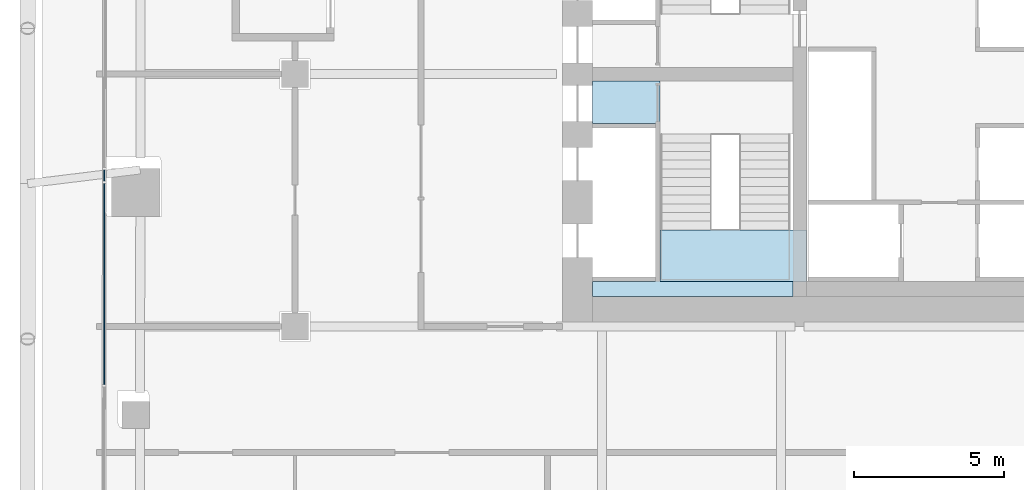
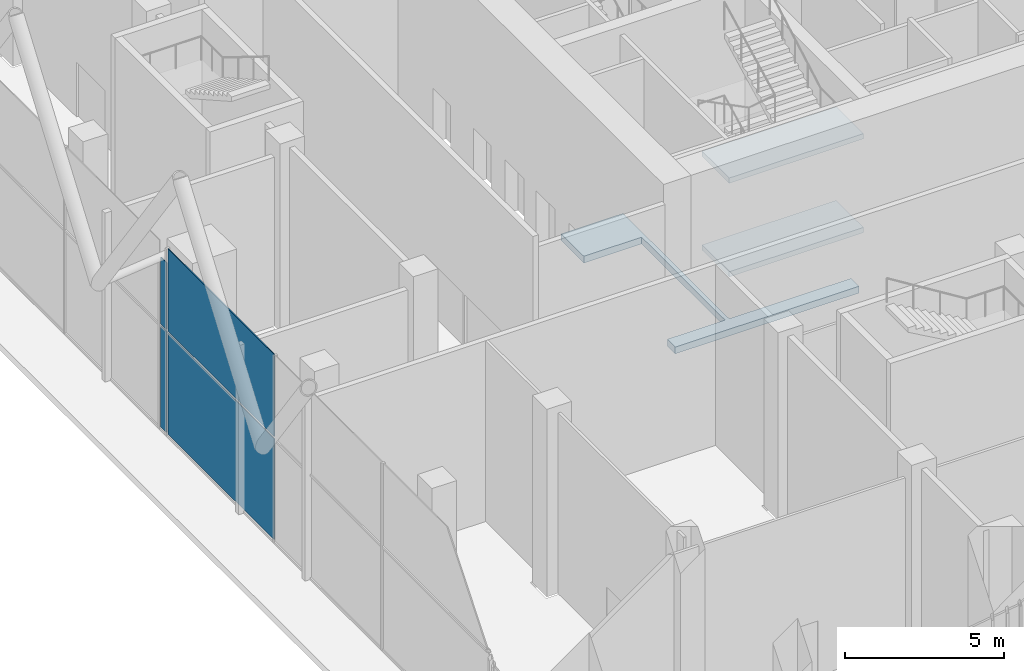
# One storey, part 18 of 34: 4 plates, 3 slabs, 3 elements without a shape of their own.
"""IFC4 building model written with IfcOpenShell, lengths in metres."""

from ifc_helpers import new_model, si_unit, direction, frame, origin, origin_2d, place, context, subcontext, project, spatial, polyline, rectangle, outline, extrude, material, layer, layer_set, type_object, element, aggregate, save


model = new_model("IFC4")

# Units and contexts
model_context = context("Model", 3, precision=1e-05, world=origin(), true_north=direction((0.0, 1.0)))
body_context = subcontext(model_context, "Body", "Model", "MODEL_VIEW")
ifc_project = project(units=[si_unit("LENGTHUNIT", "METRE"), si_unit("AREAUNIT", "SQUARE_METRE"), si_unit("VOLUMEUNIT", "CUBIC_METRE"), si_unit("PLANEANGLEUNIT", "RADIAN"), si_unit("MASSUNIT", "GRAM", prefix="KILO")], contexts=[model_context])

# Site, building, storey
site_placement = place(None, origin())
site = spatial("IfcSite", under=ifc_project, at=site_placement, CompositionType="ELEMENT")
building_placement = place(site_placement, origin())
building = spatial("IfcBuilding", under=site, at=building_placement, Name="Marenta Gate Hotel Tower", CompositionType="ELEMENT")
storey_placement = place(building_placement, frame((0.0, 0.0, 97.699951171875)))
storey = spatial("IfcBuildingStorey", under=building, at=storey_placement, Name="L21", CompositionType="ELEMENT", Elevation=97.699951171875)

# Slab
ifc_material_1 = material(Name="Concrete C40", Category="concrete")
ifc_layer_1 = layer(ifc_material_1, 0.260009765625)
ifc_layer_set_1 = layer_set([ifc_layer_1], Name="Concrete C40")
slab_type_1 = type_object("IfcSlabType", Name="Core floor slab 260", PredefinedType="FLOOR", material=ifc_layer_set_1)
slab_1_placement = place(storey_placement, frame((0.0, 0.0, -0.260009765625)))
element("IfcSlab", 1, at=slab_1_placement, inside=storey, type_object=slab_type_1, Name="L21-CF-5", PredefinedType="FLOOR", context=body_context, shape_type="SweptSolid", body=[
    extrude(outline(polyline([(-9.0, 1.5), (-9.0, 1.64990234375), (-9.0, 4.050048828125), (-9.0, 4.199951171875), (-9.0, 6.60009765625), (-9.0, 6.75), (-11.10009765625, 6.75), (-11.10009765625, 8.175048828125), (-8.85009765625, 8.175048828125), (-8.85009765625, 8.10009765625), (-8.85009765625, 6.39990234375), (-8.85009765625, 1.5), (-4.425048828125, 1.5), (-4.425048828125, 1.0), (-11.10009765625, 1.0), (-11.10009765625, 1.5), (-9.0, 1.5)])), origin(), (0.0, 0.0, 1.0), 0.260009765625),
])

# Stair, slabs
ifc_material_2 = material(Name="Concrete C40", Category="concrete")
stair_type = type_object("IfcStairType", Name="Core exit stair 1700 wide", PredefinedType="HALF_TURN_STAIR", material=ifc_material_2)
stair_placement = place(storey_placement, origin())
stair = element("IfcStair", 2, at=stair_placement, inside=storey, type_object=stair_type, Name="Exit stair 1", PredefinedType="HALF_TURN_STAIR")
ifc_material_3 = material(Name="Concrete C40", Category="concrete")
ifc_layer_2 = layer(ifc_material_3, 0.199951171875)
ifc_layer_set_2 = layer_set([ifc_layer_2], Name="Concrete C40")
slab_type_2 = type_object("IfcSlabType", Name="Core stair landing 200", PredefinedType="LANDING", material=ifc_layer_set_2)
slab_2_placement = place(storey_placement, frame((0.0, 0.0, 1.60009765625)))
slab_2 = element("IfcSlab", 3, at=slab_2_placement, type_object=slab_type_2, Name="SL-200 ST1 landing 1", PredefinedType="LANDING", context=body_context, shape_type="SweptSolid", body=[
    extrude(outline(polyline([(-8.85009765625, 1.5), (-3.97509765625, 1.5), (-3.97509765625, 3.2099609375), (-8.85009765625, 3.2099609375), (-8.85009765625, 1.5)])), origin(), (0.0, 0.0, 1.0), 0.199951171875),
])
slab_3_placement = place(storey_placement, frame((0.0, 0.0, 5.199951171875)))
slab_3 = element("IfcSlab", 4, at=slab_3_placement, type_object=slab_type_2, Name="SL-200 ST1 landing 3", PredefinedType="LANDING", context=body_context, shape_type="SweptSolid", body=[
    extrude(outline(polyline([(-8.85009765625, 1.5), (-3.97509765625, 1.5), (-3.97509765625, 3.2099609375), (-8.85009765625, 3.2099609375), (-8.85009765625, 1.5)])), origin(), (0.0, 0.0, 1.0), 0.2001953125),
])
aggregate(stair, [slab_2, slab_3])

# Curtain wall, plates
ifc_material_4 = material(Name="Tinted insulated glass in bronze anodised frame", Category="glass")
ifc_layer_3 = layer(ifc_material_4, 0.1298828125)
ifc_layer_set_3 = layer_set([ifc_layer_3], Name="Tinted insulated glass in bronze anodised frame")
curtain_wall_type = type_object("IfcCurtainWallType", Name="Sky lobby glazing CW2", PredefinedType="NOTDEFINED", material=ifc_layer_set_3)
curtain_wall_1_placement = place(storey_placement, origin())
curtain_wall_1 = element("IfcCurtainWall", 5, at=curtain_wall_1_placement, inside=storey, type_object=curtain_wall_type, Name="CW2 run G07", PredefinedType="NOTDEFINED")
ifc_material_5 = material(Name="Tinted insulated glass", Category="glass")
ifc_layer_4 = layer(ifc_material_5, 0.033935546875)
ifc_layer_set_4 = layer_set([ifc_layer_4], Name="Tinted insulated glass")
plate_type = type_object("IfcPlateType", Name="Glass panel CW2 34 mm tinted insulated unit", PredefinedType="CURTAIN_PANEL", material=ifc_layer_set_4)
plate_1_placement = place(storey_placement, frame((-27.345703125, 5.023193359375, 0.080078125), z_axis=(0.0, 0.0, 1.0), x_axis=(-0.001533404542, -0.999998824335, 0.0)))
plate_1 = element("IfcPlate", 6, at=plate_1_placement, type_object=plate_type, Name="CW2 panel 1.1", PredefinedType="CURTAIN_PANEL", context=body_context, shape_type="SweptSolid", body=[
    extrude(rectangle(XDim=0.37646484375, YDim=0.033935546875, at=origin_2d()), origin(), (0.0, 0.0, 1.0), 3.8798828125),
])
plate_2_placement = place(storey_placement, frame((-27.345703125, 5.023193359375, 4.0400390625), z_axis=(0.0, 0.0, 1.0), x_axis=(-0.001533404542, -0.999998824335, 0.0)))
plate_2 = element("IfcPlate", 7, at=plate_2_placement, type_object=plate_type, Name="CW2 panel 1.2", PredefinedType="CURTAIN_PANEL", context=body_context, shape_type="SweptSolid", body=[
    extrude(rectangle(XDim=0.37646484375, YDim=0.033935546875, at=origin_2d()), origin(), (0.0, 0.0, 1.0), 2.560546875),
])
aggregate(curtain_wall_1, [plate_1, plate_2])

curtain_wall_2_placement = place(storey_placement, origin())
curtain_wall_2 = element("IfcCurtainWall", 8, at=curtain_wall_2_placement, inside=storey, type_object=curtain_wall_type, Name="CW2 run G08", PredefinedType="NOTDEFINED")
plate_3_placement = place(storey_placement, frame((-27.351318359375, 1.40673828125, 0.080078125), z_axis=(0.0, 0.0, 1.0), x_axis=(-0.001564912707, -0.999998775523, 0.0)))
plate_3 = element("IfcPlate", 9, at=plate_3_placement, type_object=plate_type, Name="CW2 panel 1.1", PredefinedType="CURTAIN_PANEL", context=body_context, shape_type="SweptSolid", body=[
    extrude(rectangle(XDim=6.696044921875, YDim=0.033935546875, at=origin_2d()), origin(), (0.0, 0.0, 1.0), 3.8798828125),
])
plate_4_placement = place(storey_placement, frame((-27.351318359375, 1.40673828125, 4.0400390625), z_axis=(0.0, 0.0, 1.0), x_axis=(-0.001564912707, -0.999998775523, 0.0)))
plate_4 = element("IfcPlate", 10, at=plate_4_placement, type_object=plate_type, Name="CW2 panel 1.2", PredefinedType="CURTAIN_PANEL", context=body_context, shape_type="SweptSolid", body=[
    extrude(rectangle(XDim=6.696044921875, YDim=0.033935546875, at=origin_2d()), origin(), (0.0, 0.0, 1.0), 3.159912109375),
])
aggregate(curtain_wall_2, [plate_3, plate_4])

save(model, "model.ifc")
